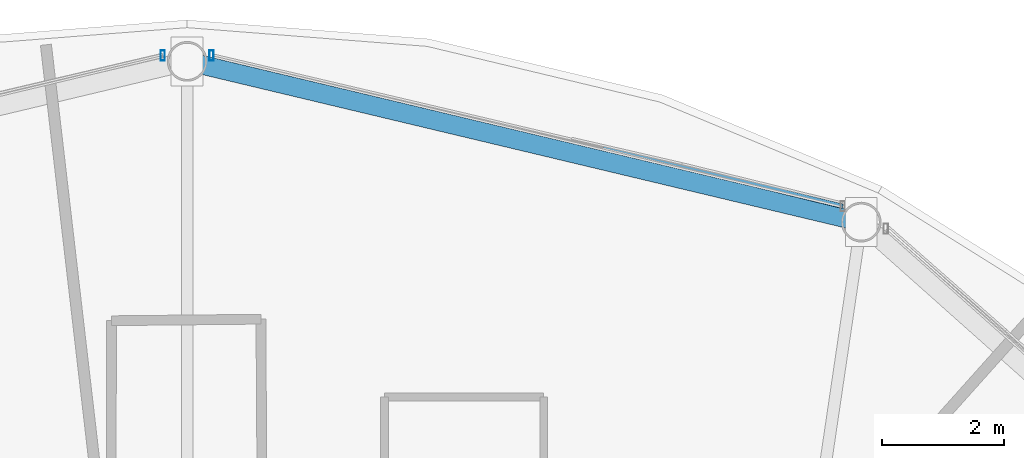
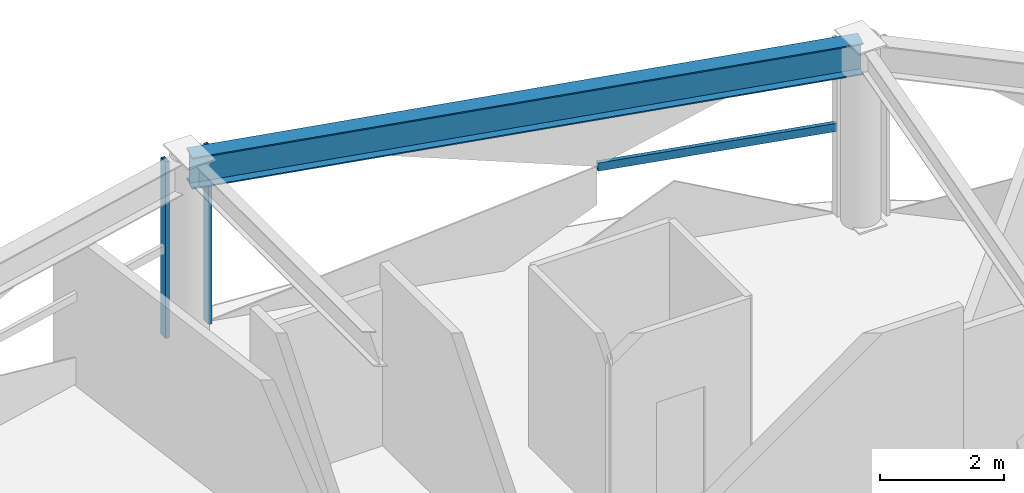
# One storey, part 18 of 28: 3 members, 1 beam, 2 elements without a shape of their own.
"""IFC4 building model written with IfcOpenShell, lengths in metres."""

from ifc_helpers import new_model, si_unit, direction, frame, origin, origin_2d, place, context, subcontext, project, spatial, hollow_rectangle, i_section, extrude, material, layer, layer_set, material_profile, profile_set, type_object, element, aggregate, save


model = new_model("IFC4")

# Units and contexts
model_context = context("Model", 3, precision=1e-05, world=origin(), true_north=direction((0.0, 1.0)))
body_context = subcontext(model_context, "Body", "Model", "MODEL_VIEW")
ifc_project = project(units=[si_unit("LENGTHUNIT", "METRE"), si_unit("AREAUNIT", "SQUARE_METRE"), si_unit("VOLUMEUNIT", "CUBIC_METRE"), si_unit("PLANEANGLEUNIT", "RADIAN"), si_unit("MASSUNIT", "GRAM", prefix="KILO")], contexts=[model_context])

# Site, building, storey
site_placement = place(None, origin())
site = spatial("IfcSite", under=ifc_project, at=site_placement, CompositionType="ELEMENT")
building_placement = place(site_placement, origin())
building = spatial("IfcBuilding", under=site, at=building_placement, Name="Vantalir Tower", CompositionType="ELEMENT")
storey_placement = place(building_placement, frame((0.0, 0.0, 223.64990234375)))
storey = spatial("IfcBuildingStorey", under=building, at=storey_placement, Name="L56", CompositionType="ELEMENT", Elevation=223.64990234375)

# Beam
ifc_material_1 = material(Name="Steel S460", Category="steel")
ifc_material_profile_1 = material_profile(ifc_material_1, i_section(OverallWidth=0.306884765625, OverallDepth=0.6201171875, WebThickness=0.01416015625, FlangeThickness=0.023681640625, at=origin_2d()), Name="Steel S460")
ifc_profile_set_1 = profile_set([ifc_material_profile_1], Name="Steel S460")
beam_type = type_object("IfcBeamType", Name="BM-RG-610x305", PredefinedType="USERDEFINED", material=ifc_profile_set_1)
beam_placement = place(storey_placement, frame((42.506103515625, 41.970947265625, 3.260009765625), z_axis=(-0.972716546071, 0.231996812479, 0.0), x_axis=(-0.231996812479, -0.972716546071, 0.0)))
element("IfcBeam", 1, at=beam_placement, inside=storey, type_object=beam_type, Name="L56 Circumferential Ring Girder 03", ObjectType="GIRDER", PredefinedType="USERDEFINED", context=body_context, shape_type="SweptSolid", body=[
    extrude(i_section(OverallWidth=0.306884765625, OverallDepth=0.6201171875, WebThickness=0.01416015625, FlangeThickness=0.023681640625, at=origin_2d()), origin(), (0.0, 0.0, 1.0), 11.314697265625),
])

# Curtain wall, member
ifc_material_2 = material(Name="Champagne-silver PVDF aluminium and double-silver Low-E glass", Category="aluminium")
ifc_layer = layer(ifc_material_2, 0.2099609375)
ifc_layer_set = layer_set([ifc_layer], Name="Champagne-silver PVDF aluminium and double-silver Low-E glass")
curtain_wall_type = type_object("IfcCurtainWallType", Name="CW-DIAMOND-Z3", PredefinedType="USERDEFINED", material=ifc_layer_set)
curtain_wall_1_placement = place(storey_placement, origin())
curtain_wall_1 = element("IfcCurtainWall", 2, at=curtain_wall_1_placement, inside=storey, type_object=curtain_wall_type, Name="L56 Quilted Pyramid-Diamond Curtain Wall S03", ObjectType="UNITISED CURTAIN WALL", PredefinedType="USERDEFINED")
ifc_material_3 = material(Name="Champagne-silver PVDF aluminium 6063-T6", Category="aluminium")
ifc_material_profile_2 = material_profile(ifc_material_3, hollow_rectangle(XDim=0.070068359375, YDim=0.1650390625, WallThickness=0.00390625, at=origin_2d()), Name="Champagne-silver PVDF aluminium 6063-T6")
ifc_profile_set_2 = profile_set([ifc_material_profile_2], Name="Champagne-silver PVDF aluminium 6063-T6")
member_type_1 = type_object("IfcMemberType", Name="CWM-165x70", PredefinedType="MULLION", material=ifc_profile_set_2)
member_1_placement = place(storey_placement, frame((31.89892578125, 44.69091796875, 0.045166015625), z_axis=(0.0, 0.0, 1.0), x_axis=(1.0, 0.0, 0.0)))
member_1 = element("IfcMember", 3, at=member_1_placement, type_object=member_type_1, Name="CW-L56-S03 Mullion 2", PredefinedType="MULLION", context=body_context, shape_type="SweptSolid", body=[
    extrude(hollow_rectangle(XDim=0.070068359375, YDim=0.1650390625, WallThickness=0.00390625, at=origin_2d()), origin(), (0.0, 0.0, 1.0), 3.47998046875),
])

curtain_wall_2_placement = place(storey_placement, origin())
curtain_wall_2 = element("IfcCurtainWall", 4, at=curtain_wall_2_placement, inside=storey, type_object=curtain_wall_type, Name="L56 Quilted Pyramid-Diamond Curtain Wall S04", ObjectType="UNITISED CURTAIN WALL", PredefinedType="USERDEFINED")
member_2_placement = place(storey_placement, frame((31.10107421875, 44.69091796875, 0.045166015625), z_axis=(0.0, 0.0, 1.0), x_axis=(1.0, 0.0, 0.0)))
member_2 = element("IfcMember", 5, at=member_2_placement, type_object=member_type_1, Name="CW-L56-S04 Mullion 1", PredefinedType="MULLION", context=body_context, shape_type="SweptSolid", body=[
    extrude(hollow_rectangle(XDim=0.070068359375, YDim=0.1650390625, WallThickness=0.00390625, at=origin_2d()), origin(), (0.0, 0.0, 1.0), 3.47998046875),
])
aggregate(curtain_wall_2, [member_2])

# Member
ifc_material_profile_3 = material_profile(ifc_material_3, hollow_rectangle(XDim=0.074951171875, YDim=0.159912109375, WallThickness=0.00390625, at=origin_2d()), Name="Champagne-silver PVDF aluminium 6063-T6")
ifc_profile_set_3 = profile_set([ifc_material_profile_3], Name="Champagne-silver PVDF aluminium 6063-T6")
member_type_2 = type_object("IfcMemberType", Name="CWT-160x75", PredefinedType="USERDEFINED", material=ifc_profile_set_3)
member_3_placement = place(storey_placement, frame((42.202880859375, 42.22998046875, 1.78515625), z_axis=(-0.971228592021, 0.238149159226, 0.0), x_axis=(-0.238149159226, -0.971228592021, 0.0)))
member_3 = element("IfcMember", 6, at=member_3_placement, type_object=member_type_2, Name="CW-L56-S03 Pyramid Fold Ridge Transom", ObjectType="TRANSOM", PredefinedType="USERDEFINED", context=body_context, shape_type="SweptSolid", body=[
    extrude(hollow_rectangle(XDim=0.074951171875, YDim=0.159912109375, WallThickness=0.00390625, at=origin_2d()), origin(), (0.0, 0.0, 1.0), 4.022705078125),
])

aggregate(curtain_wall_1, [member_1, member_3])

save(model, "model.ifc")
